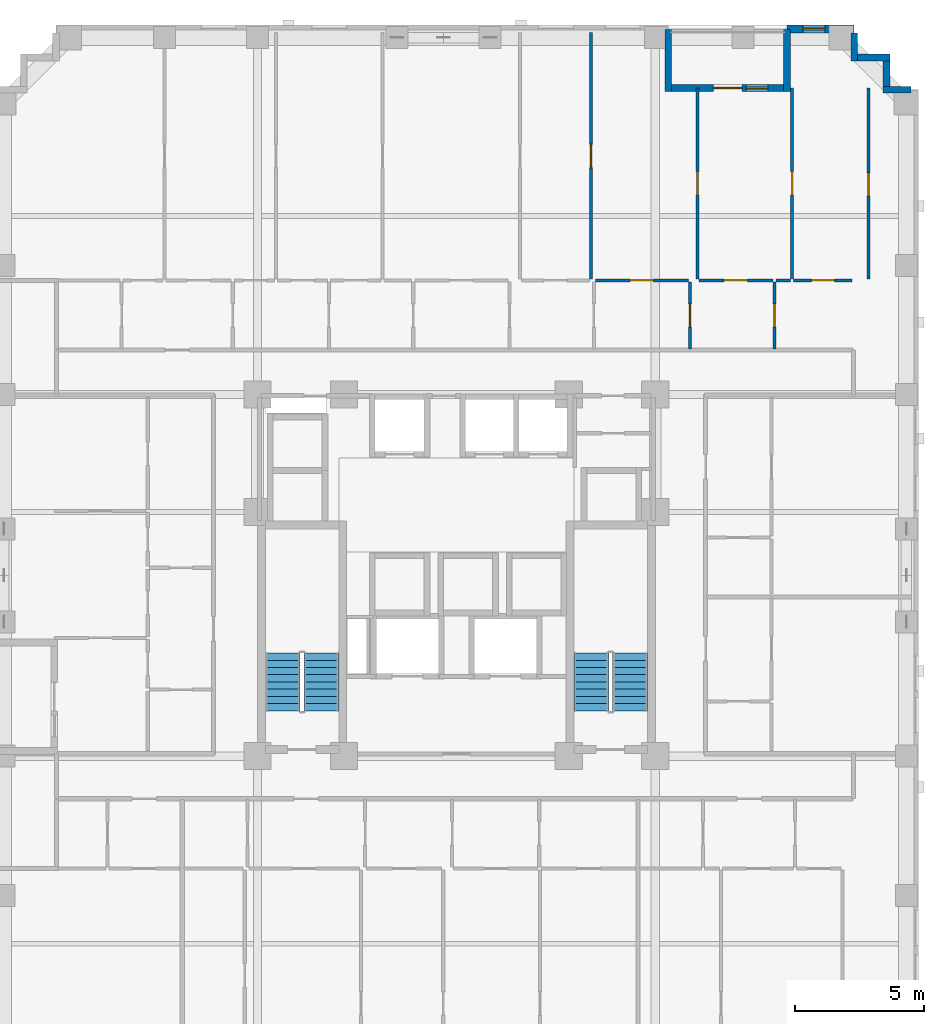
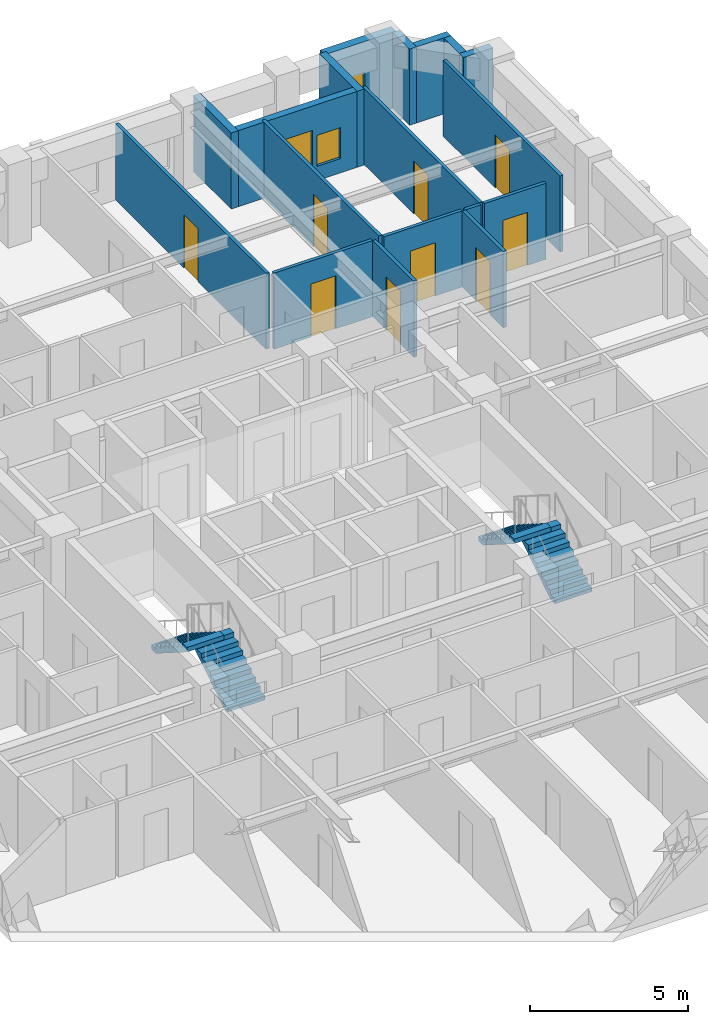
# One storey, part 8 of 12: 18 walls, 10 doors, 4 stair flights, 2 windows, 12 openings, 2 elements without a shape of their own.
"""IFC4 building model written with IfcOpenShell, lengths in metres."""

from ifc_helpers import new_model, si_unit, derived_unit, direction, frame, frame_2d, origin, place, context, subcontext, project, spatial, polyline, rectangle, outline, extrude, material, layer, layer_set, type_object, element, fill, aggregate, save


model = new_model("IFC4")

# Units and contexts
model_context = context("Model", 3, precision=1e-05, world=origin(), true_north=direction((0.0, 1.0)))
body_context = subcontext(model_context, "Body", "Model", "MODEL_VIEW")
ifc_project = project(units=[si_unit("LENGTHUNIT", "METRE"), si_unit("AREAUNIT", "SQUARE_METRE"), si_unit("VOLUMEUNIT", "CUBIC_METRE"), si_unit("PLANEANGLEUNIT", "RADIAN"), si_unit("MASSUNIT", "GRAM", prefix="KILO"), derived_unit("THERMALTRANSMITTANCEUNIT", [(si_unit("MASSUNIT", "GRAM", prefix="KILO"), 1), (si_unit("TIMEUNIT", "SECOND"), -3), (si_unit("THERMODYNAMICTEMPERATUREUNIT", "KELVIN"), -1)])], contexts=[model_context])

# Site, building, storey
site_placement = place(None, origin())
site = spatial("IfcSite", under=ifc_project, at=site_placement, CompositionType="ELEMENT")
building_placement = place(site_placement, origin())
building = spatial("IfcBuilding", under=site, at=building_placement, Name="Korrvale Station Residences", CompositionType="ELEMENT")
storey_placement = place(building_placement, frame((0.0, 0.0, 78.300048828125)))
storey = spatial("IfcBuildingStorey", under=building, at=storey_placement, Name="L21", CompositionType="ELEMENT", Elevation=78.300048828125)

# Wall
ifc_material_1 = material(Name="Precast concrete C45/55", Category="concrete")
ifc_layer_1 = layer(ifc_material_1, 0.260009765625, Name="Precast concrete C45/55")
ifc_layer_set_1 = layer_set([ifc_layer_1], Name="Precast concrete C45/55")
wall_type_1 = type_object("IfcWallType", Name="WAL-EXT-LOG260", PredefinedType="SOLIDWALL", material=ifc_layer_set_1)
wall_1_placement = place(storey_placement, frame((33.699951171875, 43.139892578125, 0.0), z_axis=(0.0, 0.0, 1.0), x_axis=(0.0, -1.0, 0.0)))
element("IfcWall", 1, at=wall_1_placement, inside=storey, type_object=wall_type_1, Name="L21 Recessed Loggia Wall BAL-L21-N1-L", PredefinedType="SOLIDWALL", context=body_context, shape_type="SweptSolid", body=[
    extrude(rectangle(XDim=2.39990234375, YDim=0.260009765625, at=frame_2d((1.199951171875, 0.0))), origin(), (0.0, 0.0, 1.0), 2.93994140625),
])

# Wall, openings, door, window
wall_2_placement = place(storey_placement, frame((33.833984375, 40.8701171875, 0.0), z_axis=(0.0, 0.0, 1.0), x_axis=(1.0, 0.0, 0.0)))
wall_2 = element("IfcWall", 2, at=wall_2_placement, inside=storey, type_object=wall_type_1, Name="L21 Recessed Loggia Wall BAL-L21-N1-B", PredefinedType="SOLIDWALL", context=body_context, shape_type="SweptSolid", body=[
    extrude(rectangle(XDim=4.33203125, YDim=0.260009765625, at=frame_2d((2.166015625, 0.0))), origin(), (0.0, 0.0, 1.0), 2.93994140625),
])
opening_1_placement = place(wall_2_placement, frame((1.615966796875, 0.0, 0.0)))
opening_1 = element("IfcOpeningElement", 3, at=opening_1_placement, cuts=wall_2, Name="Opening BD-01", PredefinedType="OPENING", context=body_context, shape_type="SweptSolid", body=[
    extrude(rectangle(XDim=1.10009765625, YDim=2.0, at=frame_2d((0.550048828125, 1.0))), frame((0.0, 0.14013671875, 0.0), z_axis=(0.0, -1.0, 0.0), x_axis=(1.0, 0.0, 0.0)), (0.0, 0.0, 1.0), 0.280029296875),
])
opening_2_placement = place(wall_2_placement, frame((2.8759765625, 0.0, 0.550048828125)))
opening_2 = element("IfcOpeningElement", 4, at=opening_2_placement, cuts=wall_2, Name="Opening W-11", PredefinedType="OPENING", context=body_context, shape_type="SweptSolid", body=[
    extrude(rectangle(XDim=0.85009765625, YDim=1.199951171875, at=frame_2d((0.425048828125, 0.60009765625))), frame((0.0, 0.14013671875, 0.0), z_axis=(0.0, -1.0, 0.0), x_axis=(1.0, 0.0, 0.0)), (0.0, 0.0, 1.0), 0.280029296875),
])
ifc_material_2 = material(Name="Exterior thermally broken aluminium glazed balcony door", Category="aluminium")
door_type_1 = type_object("IfcDoorType", Name="DR-EXT-BAL", OperationType="NOTDEFINED", PredefinedType="DOOR", material=ifc_material_2)
door_1_placement = place(opening_1_placement, origin())
door_1 = element("IfcDoor", 5, at=door_1_placement, inside=storey, type_object=door_type_1, Name="L21 Loggia Balcony Door BAL-L21-N1", OperationType="SINGLE_SWING_RIGHT", OverallHeight=2.0, OverallWidth=1.10009765625, PredefinedType="DOOR", context=body_context, shape_type="SweptSolid", body=[
    extrude(rectangle(XDim=1.10009765625, YDim=2.0, at=frame_2d((0.550048828125, 1.0))), frame((0.0, 0.02490234375, 0.0), z_axis=(0.0, -1.0, 0.0), x_axis=(1.0, 0.0, 0.0)), (0.0, 0.0, 1.0), 0.050048828125),
])
fill(opening_1, door_1)
ifc_material_3 = material(Name="Thermally broken aluminium frame with triple low-e glazing", Category="aluminium")
window_type = type_object("IfcWindowType", Name="WIN-W11", PartitioningType="SINGLE_PANEL", PredefinedType="WINDOW", material=ifc_material_3)
window_1_placement = place(opening_2_placement, origin())
window_1 = element("IfcWindow", 6, at=window_1_placement, inside=storey, type_object=window_type, Name="L21 Punched Window 16", OverallHeight=1.199951171875, OverallWidth=0.85009765625, PartitioningType="SINGLE_PANEL", PredefinedType="WINDOW", context=body_context, shape_type="SweptSolid", body=[
    extrude(rectangle(XDim=0.85009765625, YDim=1.199951171875, at=frame_2d((0.425048828125, 0.60009765625))), frame((0.0, 0.030029296875, 0.0), z_axis=(0.0, -1.0, 0.0), x_axis=(1.0, 0.0, 0.0)), (0.0, 0.0, 1.0), 0.06005859375),
])
fill(opening_2, window_1)

# Walls
wall_3_placement = place(storey_placement, frame((38.300048828125, 40.739990234375, 0.0), z_axis=(0.0, 0.0, 1.0), x_axis=(0.0, 1.0, 0.0)))
element("IfcWall", 7, at=wall_3_placement, inside=storey, type_object=wall_type_1, Name="L21 Recessed Loggia Wall BAL-L21-N1-R", PredefinedType="SOLIDWALL", context=body_context, shape_type="SweptSolid", body=[
    extrude(rectangle(XDim=2.39990234375, YDim=0.260009765625, at=frame_2d((1.199951171875, 0.0))), origin(), (0.0, 0.0, 1.0), 2.93994140625),
])
wall_4_placement = place(storey_placement, frame((40.89990234375, 42.998046875, 0.0), z_axis=(0.0, 0.0, 1.0), x_axis=(0.0, -1.0, 0.0)))
element("IfcWall", 8, at=wall_4_placement, inside=storey, type_object=wall_type_1, Name="L21 Serrated Corner Precast Step NE-1", PredefinedType="SOLIDWALL", context=body_context, shape_type="SweptSolid", body=[
    extrude(rectangle(XDim=1.078125, YDim=0.260009765625, at=frame_2d((0.5390625, 0.0))), origin(), (0.0, 0.0, 1.0), 2.93994140625),
])
wall_5_placement = place(storey_placement, frame((41.031982421875, 42.050048828125, 0.0), z_axis=(0.0, 0.0, 1.0), x_axis=(1.0, 0.0, 0.0)))
element("IfcWall", 9, at=wall_5_placement, inside=storey, type_object=wall_type_1, Name="L21 Serrated Corner Precast Step NE-2", PredefinedType="SOLIDWALL", context=body_context, shape_type="SweptSolid", body=[
    extrude(rectangle(XDim=1.248046875, YDim=0.260009765625, at=frame_2d((0.6240234375, 0.0))), origin(), (0.0, 0.0, 1.0), 2.93994140625),
])
wall_6_placement = place(storey_placement, frame((42.14990234375, 41.91796875, 0.0), z_axis=(0.0, 0.0, 1.0), x_axis=(0.0, -1.0, 0.0)))
element("IfcWall", 10, at=wall_6_placement, inside=storey, type_object=wall_type_1, Name="L21 Serrated Corner Precast Step NE-3", PredefinedType="SOLIDWALL", context=body_context, shape_type="SweptSolid", body=[
    extrude(rectangle(XDim=0.986083984375, YDim=0.260009765625, at=frame_2d((0.4931640625, 0.0))), origin(), (0.0, 0.0, 1.0), 2.93994140625),
])
wall_7_placement = place(storey_placement, frame((42.02001953125, 40.800048828125, 0.0), z_axis=(0.0, 0.0, 1.0), x_axis=(1.0, 0.0, 0.0)))
element("IfcWall", 11, at=wall_7_placement, inside=storey, type_object=wall_type_1, Name="L21 Serrated Corner Precast Step NE-4", PredefinedType="SOLIDWALL", context=body_context, shape_type="SweptSolid", body=[
    extrude(rectangle(XDim=1.077880859375, YDim=0.260009765625, at=frame_2d((0.5390625, 0.0))), origin(), (0.0, 0.0, 1.0), 2.93994140625),
])

# Wall, opening, window
ifc_layer_2 = layer(ifc_material_1, 0.300048828125, Name="Precast concrete C45/55")
ifc_layer_set_2 = layer_set([ifc_layer_2], Name="Precast concrete C45/55")
wall_type_2 = type_object("IfcWallType", Name="WAL-EXT-PC300", PredefinedType="SOLIDWALL", material=ifc_layer_set_2)
wall_8_placement = place(storey_placement, frame((38.300048828125, 43.14990234375, 0.0), z_axis=(0.0, 0.0, 1.0), x_axis=(1.0, 0.0, 0.0)))
wall_8 = element("IfcWall", 12, at=wall_8_placement, inside=storey, type_object=wall_type_2, Name="L21 North Exterior Precast Wall 2", PredefinedType="SOLIDWALL", context=body_context, shape_type="SweptSolid", body=[
    extrude(rectangle(XDim=2.599853515625, YDim=0.300048828125, at=frame_2d((1.2998046875, 0.0))), origin(), (0.0, 0.0, 1.0), 2.93994140625),
])
opening_3_placement = place(wall_8_placement, frame((0.614990234375, 0.0, 0.550048828125)))
opening_3 = element("IfcOpeningElement", 13, at=opening_3_placement, cuts=wall_8, Name="Opening W-11", PredefinedType="OPENING", context=body_context, shape_type="SweptSolid", body=[
    extrude(rectangle(XDim=0.85009765625, YDim=1.199951171875, at=frame_2d((0.425048828125, 0.60009765625))), frame((0.0, 0.16015625, 0.0), z_axis=(0.0, -1.0, 0.0), x_axis=(1.0, 0.0, 0.0)), (0.0, 0.0, 1.0), 0.320068359375),
])
window_2_placement = place(opening_3_placement, origin())
window_2 = element("IfcWindow", 14, at=window_2_placement, inside=storey, type_object=window_type, Name="L21 Punched Window 17", OverallHeight=1.199951171875, OverallWidth=0.85009765625, PartitioningType="SINGLE_PANEL", PredefinedType="WINDOW", context=body_context, shape_type="SweptSolid", body=[
    extrude(rectangle(XDim=0.85009765625, YDim=1.199951171875, at=frame_2d((0.425048828125, 0.60009765625))), frame((0.0, 0.030029296875, 0.0), z_axis=(0.0, -1.0, 0.0), x_axis=(1.0, 0.0, 0.0)), (0.0, 0.0, 1.0), 0.06005859375),
])
fill(opening_3, window_2)

# Wall, opening, door
ifc_material_4 = material(Name="Acoustic steel-stud gypsum board partition", Category="steel")
ifc_layer_3 = layer(ifc_material_4, 0.1201171875, Name="Acoustic steel-stud gypsum board partition")
ifc_layer_set_3 = layer_set([ifc_layer_3], Name="Acoustic steel-stud gypsum board partition")
wall_type_3 = type_object("IfcWallType", Name="WAL-PART-125", PredefinedType="PARTITIONING", material=ifc_layer_set_3)
wall_9_placement = place(storey_placement, frame((34.5400390625, 30.760009765625, 0.0), z_axis=(0.0, 0.0, 1.0), x_axis=(0.0, 1.0, 0.0)))
wall_9 = element("IfcWall", 15, at=wall_9_placement, inside=storey, type_object=wall_type_3, Name="L21 Suite Partition U04-V67", PredefinedType="PARTITIONING", context=body_context, shape_type="SweptSolid", body=[
    extrude(rectangle(XDim=2.60009765625, YDim=0.1201171875, at=frame_2d((1.300048828125, 0.0))), origin(), (0.0, 0.0, 1.0), 2.93994140625),
])
opening_4_placement = place(wall_9_placement, frame((0.85009765625, 0.0, 0.0)))
opening_4 = element("IfcOpeningElement", 16, at=opening_4_placement, cuts=wall_9, Name="Opening DI-900", PredefinedType="OPENING", context=body_context, shape_type="SweptSolid", body=[
    extrude(rectangle(XDim=0.89990234375, YDim=2.050048828125, at=frame_2d((0.449951171875, 1.02490234375))), frame((0.0, 0.070068359375, 0.0), z_axis=(0.0, -1.0, 0.0), x_axis=(1.0, 0.0, 0.0)), (0.0, 0.0, 1.0), 0.14013671875),
])
ifc_material_5 = material(Name="Painted solid-core timber interior room door", Category="wood")
door_type_2 = type_object("IfcDoorType", Name="DR-INT-900", OperationType="NOTDEFINED", PredefinedType="DOOR", material=ifc_material_5)
door_2_placement = place(opening_4_placement, origin())
door_2 = element("IfcDoor", 17, at=door_2_placement, inside=storey, type_object=door_type_2, Name="L21 Apartment 3BR L21-U04 Storage Closet 5 Door", OperationType="SINGLE_SWING_RIGHT", OverallHeight=2.050048828125, OverallWidth=0.89990234375, PredefinedType="DOOR", context=body_context, shape_type="SweptSolid", body=[
    extrude(rectangle(XDim=0.89990234375, YDim=2.050048828125, at=frame_2d((0.449951171875, 1.02490234375))), frame((0.0, 0.02490234375, 0.0), z_axis=(0.0, -1.0, 0.0), x_axis=(1.0, 0.0, 0.0)), (0.0, 0.0, 1.0), 0.050048828125),
])
fill(opening_4, door_2)

wall_10_placement = place(storey_placement, frame((30.8798828125, 33.419921875, 0.0), z_axis=(0.0, 0.0, 1.0), x_axis=(1.0, 0.0, 0.0)))
wall_10 = element("IfcWall", 18, at=wall_10_placement, inside=storey, type_object=wall_type_3, Name="L21 Suite Partition U04-H614", PredefinedType="PARTITIONING", context=body_context, shape_type="SweptSolid", body=[
    extrude(rectangle(XDim=3.60009765625, YDim=0.1201171875, at=frame_2d((1.800048828125, 0.0))), origin(), (0.0, 0.0, 1.0), 2.93994140625),
])
opening_5_placement = place(wall_10_placement, frame((1.35009765625, 0.0, 0.0)))
opening_5 = element("IfcOpeningElement", 19, at=opening_5_placement, cuts=wall_10, Name="Opening DI-900", PredefinedType="OPENING", context=body_context, shape_type="SweptSolid", body=[
    extrude(rectangle(XDim=0.89990234375, YDim=2.050048828125, at=frame_2d((0.449951171875, 1.02490234375))), frame((0.0, 0.070068359375, 0.0), z_axis=(0.0, -1.0, 0.0), x_axis=(1.0, 0.0, 0.0)), (0.0, 0.0, 1.0), 0.14013671875),
])
door_3_placement = place(opening_5_placement, origin())
door_3 = element("IfcDoor", 20, at=door_3_placement, inside=storey, type_object=door_type_2, Name="L21 Apartment 3BR L21-U04 Storage Closet 5 Door", OperationType="SINGLE_SWING_LEFT", OverallHeight=2.050048828125, OverallWidth=0.89990234375, PredefinedType="DOOR", context=body_context, shape_type="SweptSolid", body=[
    extrude(rectangle(XDim=0.89990234375, YDim=2.050048828125, at=frame_2d((0.449951171875, 1.02490234375))), frame((0.0, 0.02490234375, 0.0), z_axis=(0.0, -1.0, 0.0), x_axis=(1.0, 0.0, 0.0)), (0.0, 0.0, 1.0), 0.050048828125),
])
fill(opening_5, door_3)

wall_11_placement = place(storey_placement, frame((37.81005859375, 30.760009765625, 0.0), z_axis=(0.0, 0.0, 1.0), x_axis=(0.0, 1.0, 0.0)))
wall_11 = element("IfcWall", 21, at=wall_11_placement, inside=storey, type_object=wall_type_3, Name="L21 Suite Partition U04-V78", PredefinedType="PARTITIONING", context=body_context, shape_type="SweptSolid", body=[
    extrude(rectangle(XDim=2.60009765625, YDim=0.1201171875, at=frame_2d((1.300048828125, 0.0))), origin(), (0.0, 0.0, 1.0), 2.93994140625),
])
opening_6_placement = place(wall_11_placement, frame((0.85009765625, 0.0, 0.0)))
opening_6 = element("IfcOpeningElement", 22, at=opening_6_placement, cuts=wall_11, Name="Opening DI-900", PredefinedType="OPENING", context=body_context, shape_type="SweptSolid", body=[
    extrude(rectangle(XDim=0.89990234375, YDim=2.050048828125, at=frame_2d((0.449951171875, 1.02490234375))), frame((0.0, 0.070068359375, 0.0), z_axis=(0.0, -1.0, 0.0), x_axis=(1.0, 0.0, 0.0)), (0.0, 0.0, 1.0), 0.14013671875),
])
door_4_placement = place(opening_6_placement, origin())
door_4 = element("IfcDoor", 23, at=door_4_placement, inside=storey, type_object=door_type_2, Name="L21 Apartment 3BR L21-U04 Storage Closet 6 Door", OperationType="SINGLE_SWING_RIGHT", OverallHeight=2.050048828125, OverallWidth=0.89990234375, PredefinedType="DOOR", context=body_context, shape_type="SweptSolid", body=[
    extrude(rectangle(XDim=0.89990234375, YDim=2.050048828125, at=frame_2d((0.449951171875, 1.02490234375))), frame((0.0, 0.02490234375, 0.0), z_axis=(0.0, -1.0, 0.0), x_axis=(1.0, 0.0, 0.0)), (0.0, 0.0, 1.0), 0.050048828125),
])
fill(opening_6, door_4)

wall_12_placement = place(storey_placement, frame((34.889892578125, 33.419921875, 0.0), z_axis=(0.0, 0.0, 1.0), x_axis=(1.0, 0.0, 0.0)))
wall_12 = element("IfcWall", 24, at=wall_12_placement, inside=storey, type_object=wall_type_3, Name="L21 Suite Partition U04-H715", PredefinedType="PARTITIONING", context=body_context, shape_type="SweptSolid", body=[
    extrude(rectangle(XDim=2.860107421875, YDim=0.1201171875, at=frame_2d((1.43017578125, 0.0))), origin(), (0.0, 0.0, 1.0), 2.93994140625),
])
opening_7_placement = place(wall_12_placement, frame((0.97998046875, 0.0, 0.0)))
opening_7 = element("IfcOpeningElement", 25, at=opening_7_placement, cuts=wall_12, Name="Opening DI-900", PredefinedType="OPENING", context=body_context, shape_type="SweptSolid", body=[
    extrude(rectangle(XDim=0.89990234375, YDim=2.050048828125, at=frame_2d((0.449951171875, 1.02490234375))), frame((0.0, 0.070068359375, 0.0), z_axis=(0.0, -1.0, 0.0), x_axis=(1.0, 0.0, 0.0)), (0.0, 0.0, 1.0), 0.14013671875),
])
door_5_placement = place(opening_7_placement, origin())
door_5 = element("IfcDoor", 26, at=door_5_placement, inside=storey, type_object=door_type_2, Name="L21 Apartment 3BR L21-U04 Storage Closet 6 Door", OperationType="SINGLE_SWING_LEFT", OverallHeight=2.050048828125, OverallWidth=0.89990234375, PredefinedType="DOOR", context=body_context, shape_type="SweptSolid", body=[
    extrude(rectangle(XDim=0.89990234375, YDim=2.050048828125, at=frame_2d((0.449951171875, 1.02490234375))), frame((0.0, 0.02490234375, 0.0), z_axis=(0.0, -1.0, 0.0), x_axis=(1.0, 0.0, 0.0)), (0.0, 0.0, 1.0), 0.050048828125),
])
fill(opening_7, door_5)

# Wall
wall_13_placement = place(storey_placement, frame((37.8701171875, 33.419921875, 0.0), z_axis=(0.0, 0.0, 1.0), x_axis=(1.0, 0.0, 0.0)))
element("IfcWall", 27, at=wall_13_placement, inside=storey, type_object=wall_type_3, Name="L21 Suite Partition U04-H815", PredefinedType="PARTITIONING", context=body_context, shape_type="SweptSolid", body=[
    extrude(rectangle(XDim=0.56982421875, YDim=0.1201171875, at=frame_2d((0.284912109375, 0.0))), origin(), (0.0, 0.0, 1.0), 2.93994140625),
])

# Wall, opening, door
wall_14_placement = place(storey_placement, frame((38.56005859375, 33.419921875, 0.0), z_axis=(0.0, 0.0, 1.0), x_axis=(1.0, 0.0, 0.0)))
wall_14 = element("IfcWall", 28, at=wall_14_placement, inside=storey, type_object=wall_type_3, Name="L21 Suite Partition U04-H816", PredefinedType="PARTITIONING", context=body_context, shape_type="SweptSolid", body=[
    extrude(rectangle(XDim=2.260009765625, YDim=0.1201171875, at=frame_2d((1.1298828125, 0.0))), origin(), (0.0, 0.0, 1.0), 2.93994140625),
])
opening_8_placement = place(wall_14_placement, frame((0.679931640625, 0.0, 0.0)))
opening_8 = element("IfcOpeningElement", 29, at=opening_8_placement, cuts=wall_14, Name="Opening DI-900", PredefinedType="OPENING", context=body_context, shape_type="SweptSolid", body=[
    extrude(rectangle(XDim=0.89990234375, YDim=2.050048828125, at=frame_2d((0.449951171875, 1.02490234375))), frame((0.0, 0.070068359375, 0.0), z_axis=(0.0, -1.0, 0.0), x_axis=(1.0, 0.0, 0.0)), (0.0, 0.0, 1.0), 0.14013671875),
])
door_6_placement = place(opening_8_placement, origin())
door_6 = element("IfcDoor", 30, at=door_6_placement, inside=storey, type_object=door_type_2, Name="L21 Apartment 3BR L21-U04 Storage Closet 7 Door", OperationType="SINGLE_SWING_RIGHT", OverallHeight=2.050048828125, OverallWidth=0.89990234375, PredefinedType="DOOR", context=body_context, shape_type="SweptSolid", body=[
    extrude(rectangle(XDim=0.89990234375, YDim=2.050048828125, at=frame_2d((0.449951171875, 1.02490234375))), frame((0.0, 0.02490234375, 0.0), z_axis=(0.0, -1.0, 0.0), x_axis=(1.0, 0.0, 0.0)), (0.0, 0.0, 1.0), 0.050048828125),
])
fill(opening_8, door_6)

wall_15_placement = place(storey_placement, frame((30.7099609375, 33.47998046875, 0.0), z_axis=(0.0, 0.0, 1.0), x_axis=(0.0, 1.0, 0.0)))
wall_15 = element("IfcWall", 31, at=wall_15_placement, inside=storey, type_object=wall_type_3, Name="L21 Suite Partition U04-V1314", PredefinedType="PARTITIONING", context=body_context, shape_type="SweptSolid", body=[
    extrude(rectangle(XDim=9.5400390625, YDim=0.1201171875, at=frame_2d((4.77001953125, 0.0))), origin(), (0.0, 0.0, 1.0), 2.93994140625),
])
opening_9_placement = place(wall_15_placement, frame((4.304931640625, 0.0, 0.0)))
opening_9 = element("IfcOpeningElement", 32, at=opening_9_placement, cuts=wall_15, Name="Opening DI-900", PredefinedType="OPENING", context=body_context, shape_type="SweptSolid", body=[
    extrude(rectangle(XDim=0.89990234375, YDim=2.050048828125, at=frame_2d((0.449951171875, 1.02490234375))), frame((0.0, 0.070068359375, 0.0), z_axis=(0.0, -1.0, 0.0), x_axis=(1.0, 0.0, 0.0)), (0.0, 0.0, 1.0), 0.14013671875),
])
door_7_placement = place(opening_9_placement, origin())
door_7 = element("IfcDoor", 33, at=door_7_placement, inside=storey, type_object=door_type_2, Name="L21 Apartment 3BR L21-U04 Private Library Study Door", OperationType="SINGLE_SWING_LEFT", OverallHeight=2.050048828125, OverallWidth=0.89990234375, PredefinedType="DOOR", context=body_context, shape_type="SweptSolid", body=[
    extrude(rectangle(XDim=0.89990234375, YDim=2.050048828125, at=frame_2d((0.449951171875, 1.02490234375))), frame((0.0, 0.02490234375, 0.0), z_axis=(0.0, -1.0, 0.0), x_axis=(1.0, 0.0, 0.0)), (0.0, 0.0, 1.0), 0.050048828125),
])
fill(opening_9, door_7)

wall_16_placement = place(storey_placement, frame((34.830078125, 33.47998046875, 0.0), z_axis=(0.0, 0.0, 1.0), x_axis=(0.0, 1.0, 0.0)))
wall_16 = element("IfcWall", 34, at=wall_16_placement, inside=storey, type_object=wall_type_3, Name="L21 Suite Partition U04-V1415", PredefinedType="PARTITIONING", context=body_context, shape_type="SweptSolid", body=[
    extrude(rectangle(XDim=7.39013671875, YDim=0.1201171875, at=frame_2d((3.695068359375, 0.0))), origin(), (0.0, 0.0, 1.0), 2.93994140625),
])
opening_10_placement = place(wall_16_placement, frame((3.2451171875, 0.0, 0.0)))
opening_10 = element("IfcOpeningElement", 35, at=opening_10_placement, cuts=wall_16, Name="Opening DI-900", PredefinedType="OPENING", context=body_context, shape_type="SweptSolid", body=[
    extrude(rectangle(XDim=0.89990234375, YDim=2.050048828125, at=frame_2d((0.449951171875, 1.02490234375))), frame((0.0, 0.070068359375, 0.0), z_axis=(0.0, -1.0, 0.0), x_axis=(1.0, 0.0, 0.0)), (0.0, 0.0, 1.0), 0.14013671875),
])
door_8_placement = place(opening_10_placement, origin())
door_8 = element("IfcDoor", 36, at=door_8_placement, inside=storey, type_object=door_type_2, Name="L21 Apartment 3BR L21-U04 Bedroom 1 Door", OperationType="SINGLE_SWING_RIGHT", OverallHeight=2.050048828125, OverallWidth=0.89990234375, PredefinedType="DOOR", context=body_context, shape_type="SweptSolid", body=[
    extrude(rectangle(XDim=0.89990234375, YDim=2.050048828125, at=frame_2d((0.449951171875, 1.02490234375))), frame((0.0, 0.02490234375, 0.0), z_axis=(0.0, -1.0, 0.0), x_axis=(1.0, 0.0, 0.0)), (0.0, 0.0, 1.0), 0.050048828125),
])
fill(opening_10, door_8)

wall_17_placement = place(storey_placement, frame((38.5, 33.47998046875, 0.0), z_axis=(0.0, 0.0, 1.0), x_axis=(0.0, 1.0, 0.0)))
wall_17 = element("IfcWall", 37, at=wall_17_placement, inside=storey, type_object=wall_type_3, Name="L21 Suite Partition U04-V1516", PredefinedType="PARTITIONING", context=body_context, shape_type="SweptSolid", body=[
    extrude(rectangle(XDim=7.39013671875, YDim=0.1201171875, at=frame_2d((3.695068359375, 0.0))), origin(), (0.0, 0.0, 1.0), 2.93994140625),
])
opening_11_placement = place(wall_17_placement, frame((3.2451171875, 0.0, 0.0)))
opening_11 = element("IfcOpeningElement", 38, at=opening_11_placement, cuts=wall_17, Name="Opening DI-900", PredefinedType="OPENING", context=body_context, shape_type="SweptSolid", body=[
    extrude(rectangle(XDim=0.89990234375, YDim=2.050048828125, at=frame_2d((0.449951171875, 1.02490234375))), frame((0.0, 0.070068359375, 0.0), z_axis=(0.0, -1.0, 0.0), x_axis=(1.0, 0.0, 0.0)), (0.0, 0.0, 1.0), 0.14013671875),
])
door_9_placement = place(opening_11_placement, origin())
door_9 = element("IfcDoor", 39, at=door_9_placement, inside=storey, type_object=door_type_2, Name="L21 Apartment 3BR L21-U04 Bedroom 2 Door", OperationType="SINGLE_SWING_LEFT", OverallHeight=2.050048828125, OverallWidth=0.89990234375, PredefinedType="DOOR", context=body_context, shape_type="SweptSolid", body=[
    extrude(rectangle(XDim=0.89990234375, YDim=2.050048828125, at=frame_2d((0.449951171875, 1.02490234375))), frame((0.0, 0.02490234375, 0.0), z_axis=(0.0, -1.0, 0.0), x_axis=(1.0, 0.0, 0.0)), (0.0, 0.0, 1.0), 0.050048828125),
])
fill(opening_11, door_9)

wall_18_placement = place(storey_placement, frame((41.449951171875, 33.47998046875, 0.0), z_axis=(0.0, 0.0, 1.0), x_axis=(0.0, 1.0, 0.0)))
wall_18 = element("IfcWall", 40, at=wall_18_placement, inside=storey, type_object=wall_type_3, Name="L21 Suite Partition U04-V1617", PredefinedType="PARTITIONING", context=body_context, shape_type="SweptSolid", body=[
    extrude(rectangle(XDim=7.39013671875, YDim=0.1201171875, at=frame_2d((3.695068359375, 0.0))), origin(), (0.0, 0.0, 1.0), 2.93994140625),
])
opening_12_placement = place(wall_18_placement, frame((3.199951171875, 0.0, 0.0)))
opening_12 = element("IfcOpeningElement", 41, at=opening_12_placement, cuts=wall_18, Name="Opening DI-900", PredefinedType="OPENING", context=body_context, shape_type="SweptSolid", body=[
    extrude(rectangle(XDim=0.89990234375, YDim=2.050048828125, at=frame_2d((0.449951171875, 1.02490234375))), frame((0.0, 0.070068359375, 0.0), z_axis=(0.0, -1.0, 0.0), x_axis=(1.0, 0.0, 0.0)), (0.0, 0.0, 1.0), 0.14013671875),
])
door_10_placement = place(opening_12_placement, origin())
door_10 = element("IfcDoor", 42, at=door_10_placement, inside=storey, type_object=door_type_2, Name="L21 Apartment 3BR L21-U04 Bedroom 3 Door", OperationType="SINGLE_SWING_RIGHT", OverallHeight=2.050048828125, OverallWidth=0.89990234375, PredefinedType="DOOR", context=body_context, shape_type="SweptSolid", body=[
    extrude(rectangle(XDim=0.89990234375, YDim=2.050048828125, at=frame_2d((0.449951171875, 1.02490234375))), frame((0.0, 0.02490234375, 0.0), z_axis=(0.0, -1.0, 0.0), x_axis=(1.0, 0.0, 0.0)), (0.0, 0.0, 1.0), 0.050048828125),
])
fill(opening_12, door_10)

# Stair, stair flights
ifc_material_6 = material(Name="Concrete C50/60", Category="concrete")
stair_type = type_object("IfcStairType", Name="STR-DL-1350-18R-1778", PredefinedType="HALF_TURN_STAIR", material=ifc_material_6)
stair_1_placement = place(storey_placement, origin())
stair_1 = element("IfcStair", 43, at=stair_1_placement, inside=storey, type_object=stair_type, Name="L21 Exit Stair 1", PredefinedType="HALF_TURN_STAIR")
stair_flight_type = type_object("IfcStairFlightType", Name="FLT-DL-1350-18R-1778", PredefinedType="STRAIGHT", material=ifc_material_6)
stair_flight_1_placement = place(storey_placement, frame((20.27490234375, 16.75, 0.0), z_axis=(0.0, 0.0, 1.0), x_axis=(0.0, 1.0, 0.0)))
stair_flight_1 = element("IfcStairFlight", 44, at=stair_flight_1_placement, type_object=stair_flight_type, Name="ST-1 flight 1", NumberOfRisers=9, NumberOfTreads=8, PredefinedType="STRAIGHT", RiserHeight=0.177777778, TreadLength=0.28, context=body_context, shape_type="SweptSolid", body=[
    extrude(outline(polyline([(0.0, 0.0), (0.0, 0.177734375), (0.280029296875, 0.177734375), (0.280029296875, 0.35546875), (0.56005859375, 0.35546875), (0.56005859375, 0.533447265625), (0.840087890625, 0.533447265625), (0.840087890625, 0.711181640625), (1.1201171875, 0.711181640625), (1.1201171875, 0.888916015625), (1.39990234375, 0.888916015625), (1.39990234375, 1.066650390625), (1.679931640625, 1.066650390625), (1.679931640625, 1.244384765625), (1.9599609375, 1.244384765625), (1.9599609375, 1.422119140625), (2.239990234375, 1.422119140625), (2.239990234375, 1.60009765625), (2.239990234375, 1.24462890625), (0.27978515625, 0.0), (0.0, 0.0)])), frame((0.0, 0.675048828125, 0.0), z_axis=(0.0, -1.0, 0.0), x_axis=(1.0, 0.0, 0.0)), (0.0, 0.0, 1.0), 1.35009765625),
])
stair_flight_2_placement = place(storey_placement, frame((18.77490234375, 18.989990234375, 1.599853515625), z_axis=(0.0, 0.0, 1.0), x_axis=(0.0, -1.0, 0.0)))
stair_flight_2 = element("IfcStairFlight", 45, at=stair_flight_2_placement, type_object=stair_flight_type, Name="ST-1 flight 2", NumberOfRisers=9, NumberOfTreads=8, PredefinedType="STRAIGHT", RiserHeight=0.177777778, TreadLength=0.28, context=body_context, shape_type="SweptSolid", body=[
    extrude(outline(polyline([(0.0, 0.0), (0.0, 0.177734375), (0.280029296875, 0.177734375), (0.280029296875, 0.35546875), (0.56005859375, 0.35546875), (0.56005859375, 0.533447265625), (0.840087890625, 0.533447265625), (0.840087890625, 0.711181640625), (1.1201171875, 0.711181640625), (1.1201171875, 0.888916015625), (1.39990234375, 0.888916015625), (1.39990234375, 1.066650390625), (1.679931640625, 1.066650390625), (1.679931640625, 1.244384765625), (1.9599609375, 1.244384765625), (1.9599609375, 1.422119140625), (2.239990234375, 1.422119140625), (2.239990234375, 1.60009765625), (2.239990234375, 1.24462890625), (0.27978515625, 0.0), (0.0, 0.0)])), frame((0.0, 0.675048828125, 0.0), z_axis=(0.0, -1.0, 0.0), x_axis=(1.0, 0.0, 0.0)), (0.0, 0.0, 1.0), 1.35009765625),
])
aggregate(stair_1, [stair_flight_1, stair_flight_2])

stair_2_placement = place(storey_placement, origin())
stair_2 = element("IfcStair", 46, at=stair_2_placement, inside=storey, type_object=stair_type, Name="L21 Exit Stair 2", PredefinedType="HALF_TURN_STAIR")
stair_flight_3_placement = place(storey_placement, frame((32.22509765625, 16.75, 0.0), z_axis=(0.0, 0.0, 1.0), x_axis=(0.0, 1.0, 0.0)))
stair_flight_3 = element("IfcStairFlight", 47, at=stair_flight_3_placement, type_object=stair_flight_type, Name="ST-2 flight 1", NumberOfRisers=9, NumberOfTreads=8, PredefinedType="STRAIGHT", RiserHeight=0.177777778, TreadLength=0.28, context=body_context, shape_type="SweptSolid", body=[
    extrude(outline(polyline([(0.0, 0.0), (0.0, 0.177734375), (0.280029296875, 0.177734375), (0.280029296875, 0.35546875), (0.56005859375, 0.35546875), (0.56005859375, 0.533447265625), (0.840087890625, 0.533447265625), (0.840087890625, 0.711181640625), (1.1201171875, 0.711181640625), (1.1201171875, 0.888916015625), (1.39990234375, 0.888916015625), (1.39990234375, 1.066650390625), (1.679931640625, 1.066650390625), (1.679931640625, 1.244384765625), (1.9599609375, 1.244384765625), (1.9599609375, 1.422119140625), (2.239990234375, 1.422119140625), (2.239990234375, 1.60009765625), (2.239990234375, 1.24462890625), (0.27978515625, 0.0), (0.0, 0.0)])), frame((0.0, 0.675048828125, 0.0), z_axis=(0.0, -1.0, 0.0), x_axis=(1.0, 0.0, 0.0)), (0.0, 0.0, 1.0), 1.35009765625),
])
stair_flight_4_placement = place(storey_placement, frame((30.72509765625, 18.989990234375, 1.599853515625), z_axis=(0.0, 0.0, 1.0), x_axis=(0.0, -1.0, 0.0)))
stair_flight_4 = element("IfcStairFlight", 48, at=stair_flight_4_placement, type_object=stair_flight_type, Name="ST-2 flight 2", NumberOfRisers=9, NumberOfTreads=8, PredefinedType="STRAIGHT", RiserHeight=0.177777778, TreadLength=0.28, context=body_context, shape_type="SweptSolid", body=[
    extrude(outline(polyline([(0.0, 0.0), (0.0, 0.177734375), (0.280029296875, 0.177734375), (0.280029296875, 0.35546875), (0.56005859375, 0.35546875), (0.56005859375, 0.533447265625), (0.840087890625, 0.533447265625), (0.840087890625, 0.711181640625), (1.1201171875, 0.711181640625), (1.1201171875, 0.888916015625), (1.39990234375, 0.888916015625), (1.39990234375, 1.066650390625), (1.679931640625, 1.066650390625), (1.679931640625, 1.244384765625), (1.9599609375, 1.244384765625), (1.9599609375, 1.422119140625), (2.239990234375, 1.422119140625), (2.239990234375, 1.60009765625), (2.239990234375, 1.24462890625), (0.27978515625, 0.0), (0.0, 0.0)])), frame((0.0, 0.675048828125, 0.0), z_axis=(0.0, -1.0, 0.0), x_axis=(1.0, 0.0, 0.0)), (0.0, 0.0, 1.0), 1.35009765625),
])
aggregate(stair_2, [stair_flight_3, stair_flight_4])

save(model, "model.ifc")
